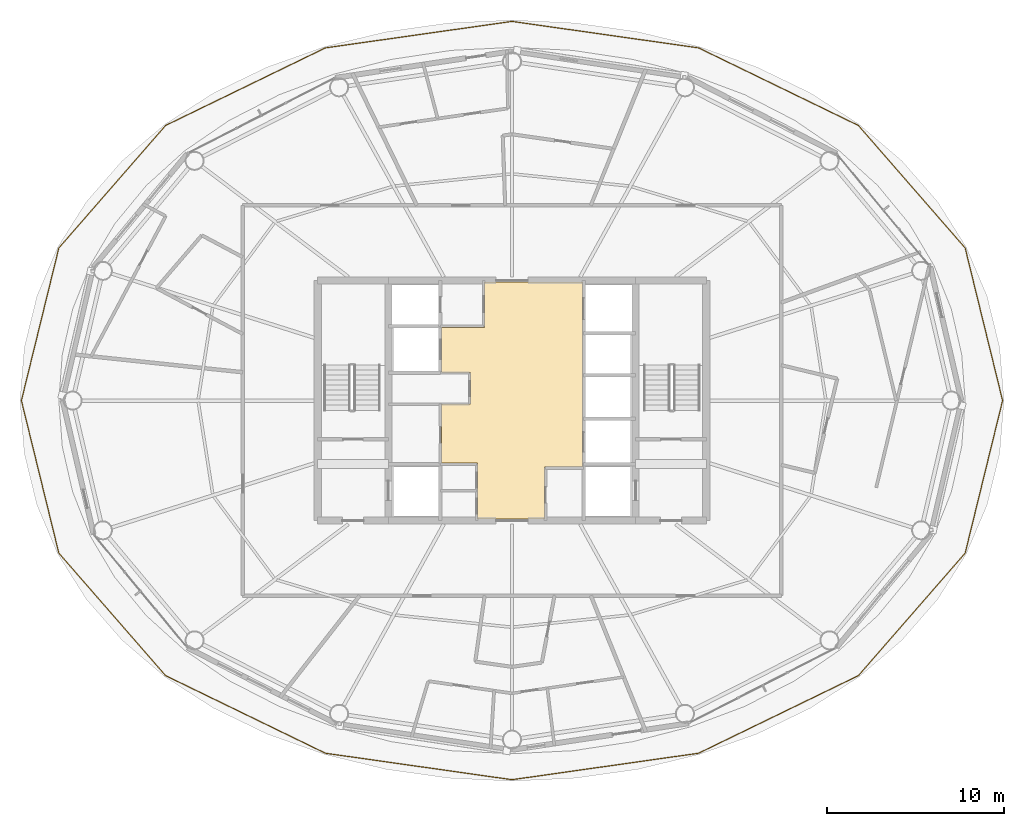
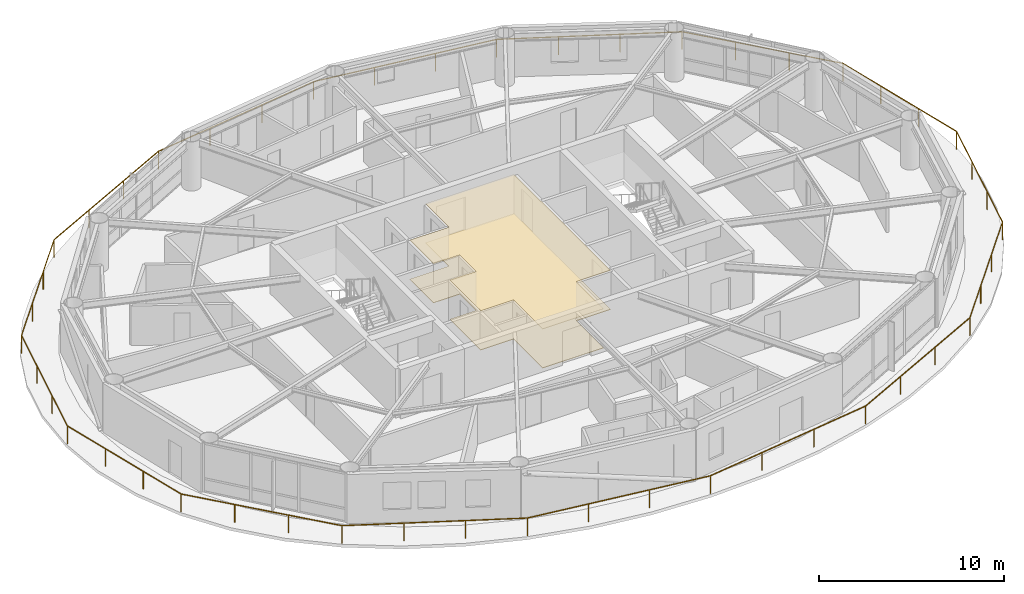
# One storey, part 23 of 24: 2 coverings, 1 railing.
"""IFC4 building model written with IfcOpenShell, lengths in metres."""

from ifc_helpers import new_model, si_unit, direction, frame, origin, origin_2d, place, context, subcontext, project, spatial, polyline, rectangle, outline, extrude, material, layer, layer_set, type_object, element, save


model = new_model("IFC4")

# Units and contexts
model_context = context("Model", 3, precision=1e-05, world=origin(), true_north=direction((0.0, 1.0)))
body_context = subcontext(model_context, "Body", "Model", "MODEL_VIEW")
ifc_project = project(units=[si_unit("LENGTHUNIT", "METRE"), si_unit("AREAUNIT", "SQUARE_METRE"), si_unit("VOLUMEUNIT", "CUBIC_METRE"), si_unit("PLANEANGLEUNIT", "RADIAN"), si_unit("MASSUNIT", "GRAM", prefix="KILO")], contexts=[model_context])

# Site, building, storey
site_placement = place(None, origin())
site = spatial("IfcSite", under=ifc_project, at=site_placement, CompositionType="ELEMENT")
building_placement = place(site_placement, origin())
building = spatial("IfcBuilding", under=site, at=building_placement, Name="Sarneth Arch Tower", CompositionType="ELEMENT")
storey_placement = place(building_placement, frame((0.0, 0.0, 253.199951171875)))
storey = spatial("IfcBuildingStorey", under=building, at=storey_placement, Name="L65", CompositionType="ELEMENT", Elevation=253.199951171875)

# Coverings
ifc_material_1 = material(Name="Perforated acoustic gypsum ceiling board")
ifc_layer_1 = layer(ifc_material_1, 0.02490234375)
ifc_layer_set_1 = layer_set([ifc_layer_1], Name="Perforated acoustic gypsum ceiling board")
covering_type_1 = type_object("IfcCoveringType", Name="COV-CEIL-GYP", PredefinedType="CEILING", material=ifc_layer_set_1)
covering_1_placement = place(storey_placement, frame((0.0, 0.0, 2.580078125)))
element("IfcCovering", 1, at=covering_1_placement, inside=storey, type_object=covering_type_1, Name="L65 Lift lobby acoustic ceiling", PredefinedType="CEILING", context=body_context, shape_type="SweptSolid", body=[
    extrude(outline(polyline([(49.85009765625, 38.25), (49.85009765625, 35.300048828125), (46.050048828125, 35.300048828125), (46.050048828125, 38.449951171875), (44.0, 38.449951171875), (44.0, 41.800048828125), (45.64990234375, 41.800048828125), (45.64990234375, 43.580078125), (44.0, 43.580078125), (44.0, 46.14990234375), (46.449951171875, 46.14990234375), (46.449951171875, 48.699951171875), (52.0, 48.699951171875), (52.0, 38.25), (49.85009765625, 38.25)])), origin(), (0.0, 0.0, 1.0), 0.030029296875),
])
ifc_material_2 = material(Name="Honed granite stone flooring", Category="masonry")
ifc_layer_2 = layer(ifc_material_2, 0.030029296875)
ifc_layer_set_2 = layer_set([ifc_layer_2], Name="Honed granite stone flooring")
covering_type_2 = type_object("IfcCoveringType", Name="COV-FLR-STONE", PredefinedType="FLOORING", material=ifc_layer_set_2)
covering_2_placement = place(storey_placement, origin())
element("IfcCovering", 2, at=covering_2_placement, inside=storey, type_object=covering_type_2, Name="L65 Lift lobby granite flooring", PredefinedType="FLOORING", context=body_context, shape_type="SweptSolid", body=[
    extrude(outline(polyline([(49.85009765625, 38.25), (49.85009765625, 35.300048828125), (46.050048828125, 35.300048828125), (46.050048828125, 38.449951171875), (44.0, 38.449951171875), (44.0, 41.800048828125), (45.64990234375, 41.800048828125), (45.64990234375, 43.580078125), (44.0, 43.580078125), (44.0, 46.14990234375), (46.449951171875, 46.14990234375), (46.449951171875, 48.699951171875), (52.0, 48.699951171875), (52.0, 38.25), (49.85009765625, 38.25)])), origin(), (0.0, 0.0, 1.0), 0.030029296875),
])

# Railing
ifc_material_3 = material(Name="Laminated structural glass infill with Stainless Steel 316 top rail and posts", Category="steel")
railing_type = type_object("IfcRailingType", Name="RAIL-BALC-1200", PredefinedType="BALUSTRADE", material=ifc_material_3)
railing_placement = place(storey_placement, frame((75.78076171875, 42.0, 0.0)))
element("IfcRailing", 3, at=railing_placement, inside=storey, type_object=railing_type, Name="L65 Helical balcony glass balustrade", PredefinedType="BALUSTRADE", context=body_context, shape_type="SweptSolid", body=[
    extrude(rectangle(XDim=0.048095703125, YDim=0.048095703125, at=origin_2d()), frame((0.0, 0.0, 1.17578125), z_axis=(-0.238278180487, 0.971196946404, 0.0), x_axis=(-0.971196946404, -0.238278180487, 0.0)), (0.0, 0.0, 1.0), 8.896728515625),
    extrude(rectangle(XDim=0.048095703125, YDim=0.048095703125, at=origin_2d()), frame((-2.119873046875, 8.640380859375, 1.17578125), z_axis=(-0.65700607438, 0.753885281875, 0.0), x_axis=(-0.753885281875, -0.65700607438, 0.0)), (0.0, 0.0, 1.0), 9.20068359375),
    extrude(rectangle(XDim=0.048095703125, YDim=0.048095703125, at=origin_2d()), frame((-8.164794921875, 15.57666015625, 1.17578125), z_axis=(-0.899578716168, 0.43675866725, 0.0), x_axis=(-0.43675866725, -0.899578716168, 0.0)), (0.0, 0.0, 1.0), 10.06103515625),
    extrude(rectangle(XDim=0.048095703125, YDim=0.048095703125, at=origin_2d()), frame((-17.215576171875, 19.970947265625, 1.17578125), z_axis=(-0.990084028172, 0.140476393599, 0.0), x_axis=(-0.140476393599, -0.990084028172, 0.0)), (0.0, 0.0, 1.0), 10.6708984375),
    extrude(rectangle(XDim=0.048095703125, YDim=0.048095703125, at=origin_2d()), frame((-27.78076171875, 21.469970703125, 1.17578125), z_axis=(-0.990084028172, -0.140476393599, 0.0), x_axis=(0.140476393599, -0.990084028172, 0.0)), (0.0, 0.0, 1.0), 10.6708984375),
    extrude(rectangle(XDim=0.048095703125, YDim=0.048095703125, at=origin_2d()), frame((-38.345947265625, 19.970947265625, 1.17578125), z_axis=(-0.899578716168, -0.43675866725, 0.0), x_axis=(0.43675866725, -0.899578716168, 0.0)), (0.0, 0.0, 1.0), 10.06103515625),
    extrude(rectangle(XDim=0.048095703125, YDim=0.048095703125, at=origin_2d()), frame((-47.396728515625, 15.57666015625, 1.17578125), z_axis=(-0.65700607438, -0.753885281875, 0.0), x_axis=(0.753885281875, -0.65700607438, 0.0)), (0.0, 0.0, 1.0), 9.20068359375),
    extrude(rectangle(XDim=0.048095703125, YDim=0.048095703125, at=origin_2d()), frame((-53.441650390625, 8.640380859375, 1.17578125), z_axis=(-0.238278180487, -0.971196946404, 0.0), x_axis=(0.971196946404, -0.238278180487, 0.0)), (0.0, 0.0, 1.0), 8.896728515625),
    extrude(rectangle(XDim=0.048095703125, YDim=0.048095703125, at=origin_2d()), frame((-55.5615234375, 0.0, 1.17578125), z_axis=(0.238278180487, -0.971196946404, 0.0), x_axis=(0.971196946404, 0.238278180487, 0.0)), (0.0, 0.0, 1.0), 8.896728515625),
    extrude(rectangle(XDim=0.048095703125, YDim=0.048095703125, at=origin_2d()), frame((-53.441650390625, -8.640380859375, 1.17578125), z_axis=(0.65700607438, -0.753885281875, 0.0), x_axis=(0.753885281875, 0.65700607438, 0.0)), (0.0, 0.0, 1.0), 9.20068359375),
    extrude(rectangle(XDim=0.048095703125, YDim=0.048095703125, at=origin_2d()), frame((-47.396728515625, -15.57666015625, 1.17578125), z_axis=(0.899578716168, -0.43675866725, 0.0), x_axis=(0.43675866725, 0.899578716168, 0.0)), (0.0, 0.0, 1.0), 10.06103515625),
    extrude(rectangle(XDim=0.048095703125, YDim=0.048095703125, at=origin_2d()), frame((-38.345947265625, -19.970947265625, 1.17578125), z_axis=(0.990084028172, -0.140476393599, 0.0), x_axis=(0.140476393599, 0.990084028172, 0.0)), (0.0, 0.0, 1.0), 10.6708984375),
    extrude(rectangle(XDim=0.048095703125, YDim=0.048095703125, at=origin_2d()), frame((-27.78076171875, -21.469970703125, 1.17578125), z_axis=(0.990084028172, 0.140476393599, 0.0), x_axis=(-0.140476393599, 0.990084028172, 0.0)), (0.0, 0.0, 1.0), 10.6708984375),
    extrude(rectangle(XDim=0.048095703125, YDim=0.048095703125, at=origin_2d()), frame((-17.215576171875, -19.970947265625, 1.17578125), z_axis=(0.899578716168, 0.43675866725, 0.0), x_axis=(-0.43675866725, 0.899578716168, 0.0)), (0.0, 0.0, 1.0), 10.06103515625),
    extrude(rectangle(XDim=0.048095703125, YDim=0.048095703125, at=origin_2d()), frame((-8.164794921875, -15.57666015625, 1.17578125), z_axis=(0.65700607438, 0.753885281875, 0.0), x_axis=(-0.753885281875, 0.65700607438, 0.0)), (0.0, 0.0, 1.0), 9.20068359375),
    extrude(rectangle(XDim=0.048095703125, YDim=0.048095703125, at=origin_2d()), frame((-2.119873046875, -8.640380859375, 1.17578125), z_axis=(0.238278180487, 0.971196946404, 0.0), x_axis=(-0.971196946404, 0.238278180487, 0.0)), (0.0, 0.0, 1.0), 8.896728515625),
    extrude(rectangle(XDim=0.0419921875, YDim=0.0419921875, at=origin_2d()), origin(), (0.0, 0.0, 1.0), 1.15185546875),
    extrude(rectangle(XDim=0.0419921875, YDim=0.0419921875, at=origin_2d()), frame((-0.70654296875, 2.880126953125, 0.0)), (0.0, 0.0, 1.0), 1.15185546875),
    extrude(rectangle(XDim=0.0419921875, YDim=0.0419921875, at=origin_2d()), frame((-1.413330078125, 5.76025390625, 0.0)), (0.0, 0.0, 1.0), 1.15185546875),
    extrude(rectangle(XDim=0.0419921875, YDim=0.0419921875, at=origin_2d()), frame((-2.119873046875, 8.640380859375, 0.0)), (0.0, 0.0, 1.0), 1.15185546875),
    extrude(rectangle(XDim=0.0419921875, YDim=0.0419921875, at=origin_2d()), frame((-4.134765625, 10.952392578125, 0.0)), (0.0, 0.0, 1.0), 1.15185546875),
    extrude(rectangle(XDim=0.0419921875, YDim=0.0419921875, at=origin_2d()), frame((-6.14990234375, 13.2646484375, 0.0)), (0.0, 0.0, 1.0), 1.15185546875),
    extrude(rectangle(XDim=0.0419921875, YDim=0.0419921875, at=origin_2d()), frame((-8.164794921875, 15.57666015625, 0.0)), (0.0, 0.0, 1.0), 1.15185546875),
    extrude(rectangle(XDim=0.0419921875, YDim=0.0419921875, at=origin_2d()), frame((-11.181640625, 17.04150390625, 0.0)), (0.0, 0.0, 1.0), 1.15185546875),
    extrude(rectangle(XDim=0.0419921875, YDim=0.0419921875, at=origin_2d()), frame((-14.19873046875, 18.506103515625, 0.0)), (0.0, 0.0, 1.0), 1.15185546875),
    extrude(rectangle(XDim=0.0419921875, YDim=0.0419921875, at=origin_2d()), frame((-17.215576171875, 19.970947265625, 0.0)), (0.0, 0.0, 1.0), 1.15185546875),
    extrude(rectangle(XDim=0.0419921875, YDim=0.0419921875, at=origin_2d()), frame((-20.7373046875, 20.470703125, 0.0)), (0.0, 0.0, 1.0), 1.15185546875),
    extrude(rectangle(XDim=0.0419921875, YDim=0.0419921875, at=origin_2d()), frame((-24.259033203125, 20.97021484375, 0.0)), (0.0, 0.0, 1.0), 1.15185546875),
    extrude(rectangle(XDim=0.0419921875, YDim=0.0419921875, at=origin_2d()), frame((-27.78076171875, 21.469970703125, 0.0)), (0.0, 0.0, 1.0), 1.15185546875),
    extrude(rectangle(XDim=0.0419921875, YDim=0.0419921875, at=origin_2d()), frame((-31.302490234375, 20.97021484375, 0.0)), (0.0, 0.0, 1.0), 1.15185546875),
    extrude(rectangle(XDim=0.0419921875, YDim=0.0419921875, at=origin_2d()), frame((-34.82421875, 20.470703125, 0.0)), (0.0, 0.0, 1.0), 1.15185546875),
    extrude(rectangle(XDim=0.0419921875, YDim=0.0419921875, at=origin_2d()), frame((-38.345947265625, 19.970947265625, 0.0)), (0.0, 0.0, 1.0), 1.15185546875),
    extrude(rectangle(XDim=0.0419921875, YDim=0.0419921875, at=origin_2d()), frame((-41.36279296875, 18.506103515625, 0.0)), (0.0, 0.0, 1.0), 1.15185546875),
    extrude(rectangle(XDim=0.0419921875, YDim=0.0419921875, at=origin_2d()), frame((-44.3798828125, 17.04150390625, 0.0)), (0.0, 0.0, 1.0), 1.15185546875),
    extrude(rectangle(XDim=0.0419921875, YDim=0.0419921875, at=origin_2d()), frame((-47.396728515625, 15.57666015625, 0.0)), (0.0, 0.0, 1.0), 1.15185546875),
    extrude(rectangle(XDim=0.0419921875, YDim=0.0419921875, at=origin_2d()), frame((-49.41162109375, 13.2646484375, 0.0)), (0.0, 0.0, 1.0), 1.15185546875),
    extrude(rectangle(XDim=0.0419921875, YDim=0.0419921875, at=origin_2d()), frame((-51.4267578125, 10.952392578125, 0.0)), (0.0, 0.0, 1.0), 1.15185546875),
    extrude(rectangle(XDim=0.0419921875, YDim=0.0419921875, at=origin_2d()), frame((-53.441650390625, 8.640380859375, 0.0)), (0.0, 0.0, 1.0), 1.15185546875),
    extrude(rectangle(XDim=0.0419921875, YDim=0.0419921875, at=origin_2d()), frame((-54.148193359375, 5.76025390625, 0.0)), (0.0, 0.0, 1.0), 1.15185546875),
    extrude(rectangle(XDim=0.0419921875, YDim=0.0419921875, at=origin_2d()), frame((-54.85498046875, 2.880126953125, 0.0)), (0.0, 0.0, 1.0), 1.15185546875),
    extrude(rectangle(XDim=0.0419921875, YDim=0.0419921875, at=origin_2d()), frame((-55.5615234375, 0.0, 0.0)), (0.0, 0.0, 1.0), 1.15185546875),
    extrude(rectangle(XDim=0.0419921875, YDim=0.0419921875, at=origin_2d()), frame((-54.85498046875, -2.880126953125, 0.0)), (0.0, 0.0, 1.0), 1.15185546875),
    extrude(rectangle(XDim=0.0419921875, YDim=0.0419921875, at=origin_2d()), frame((-54.148193359375, -5.76025390625, 0.0)), (0.0, 0.0, 1.0), 1.15185546875),
    extrude(rectangle(XDim=0.0419921875, YDim=0.0419921875, at=origin_2d()), frame((-53.441650390625, -8.640380859375, 0.0)), (0.0, 0.0, 1.0), 1.15185546875),
    extrude(rectangle(XDim=0.0419921875, YDim=0.0419921875, at=origin_2d()), frame((-51.4267578125, -10.952392578125, 0.0)), (0.0, 0.0, 1.0), 1.15185546875),
    extrude(rectangle(XDim=0.0419921875, YDim=0.0419921875, at=origin_2d()), frame((-49.41162109375, -13.2646484375, 0.0)), (0.0, 0.0, 1.0), 1.15185546875),
    extrude(rectangle(XDim=0.0419921875, YDim=0.0419921875, at=origin_2d()), frame((-47.396728515625, -15.57666015625, 0.0)), (0.0, 0.0, 1.0), 1.15185546875),
    extrude(rectangle(XDim=0.0419921875, YDim=0.0419921875, at=origin_2d()), frame((-44.3798828125, -17.04150390625, 0.0)), (0.0, 0.0, 1.0), 1.15185546875),
    extrude(rectangle(XDim=0.0419921875, YDim=0.0419921875, at=origin_2d()), frame((-41.36279296875, -18.506103515625, 0.0)), (0.0, 0.0, 1.0), 1.15185546875),
    extrude(rectangle(XDim=0.0419921875, YDim=0.0419921875, at=origin_2d()), frame((-38.345947265625, -19.970947265625, 0.0)), (0.0, 0.0, 1.0), 1.15185546875),
    extrude(rectangle(XDim=0.0419921875, YDim=0.0419921875, at=origin_2d()), frame((-34.82421875, -20.470703125, 0.0)), (0.0, 0.0, 1.0), 1.15185546875),
    extrude(rectangle(XDim=0.0419921875, YDim=0.0419921875, at=origin_2d()), frame((-31.302490234375, -20.97021484375, 0.0)), (0.0, 0.0, 1.0), 1.15185546875),
    extrude(rectangle(XDim=0.0419921875, YDim=0.0419921875, at=origin_2d()), frame((-27.78076171875, -21.469970703125, 0.0)), (0.0, 0.0, 1.0), 1.15185546875),
    extrude(rectangle(XDim=0.0419921875, YDim=0.0419921875, at=origin_2d()), frame((-24.259033203125, -20.97021484375, 0.0)), (0.0, 0.0, 1.0), 1.15185546875),
    extrude(rectangle(XDim=0.0419921875, YDim=0.0419921875, at=origin_2d()), frame((-20.7373046875, -20.470703125, 0.0)), (0.0, 0.0, 1.0), 1.15185546875),
    extrude(rectangle(XDim=0.0419921875, YDim=0.0419921875, at=origin_2d()), frame((-17.215576171875, -19.970947265625, 0.0)), (0.0, 0.0, 1.0), 1.15185546875),
    extrude(rectangle(XDim=0.0419921875, YDim=0.0419921875, at=origin_2d()), frame((-14.19873046875, -18.506103515625, 0.0)), (0.0, 0.0, 1.0), 1.15185546875),
    extrude(rectangle(XDim=0.0419921875, YDim=0.0419921875, at=origin_2d()), frame((-11.181640625, -17.04150390625, 0.0)), (0.0, 0.0, 1.0), 1.15185546875),
    extrude(rectangle(XDim=0.0419921875, YDim=0.0419921875, at=origin_2d()), frame((-8.164794921875, -15.57666015625, 0.0)), (0.0, 0.0, 1.0), 1.15185546875),
    extrude(rectangle(XDim=0.0419921875, YDim=0.0419921875, at=origin_2d()), frame((-6.14990234375, -13.2646484375, 0.0)), (0.0, 0.0, 1.0), 1.15185546875),
    extrude(rectangle(XDim=0.0419921875, YDim=0.0419921875, at=origin_2d()), frame((-4.134765625, -10.952392578125, 0.0)), (0.0, 0.0, 1.0), 1.15185546875),
    extrude(rectangle(XDim=0.0419921875, YDim=0.0419921875, at=origin_2d()), frame((-2.119873046875, -8.640380859375, 0.0)), (0.0, 0.0, 1.0), 1.15185546875),
    extrude(rectangle(XDim=0.0419921875, YDim=0.0419921875, at=origin_2d()), frame((-1.413330078125, -5.76025390625, 0.0)), (0.0, 0.0, 1.0), 1.15185546875),
    extrude(rectangle(XDim=0.0419921875, YDim=0.0419921875, at=origin_2d()), frame((-0.70654296875, -2.880126953125, 0.0)), (0.0, 0.0, 1.0), 1.15185546875),
])

save(model, "model.ifc")
